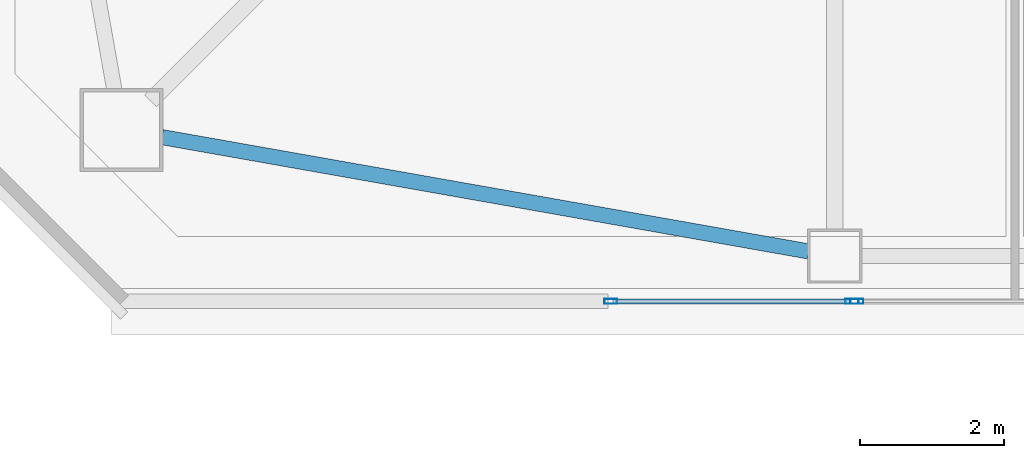
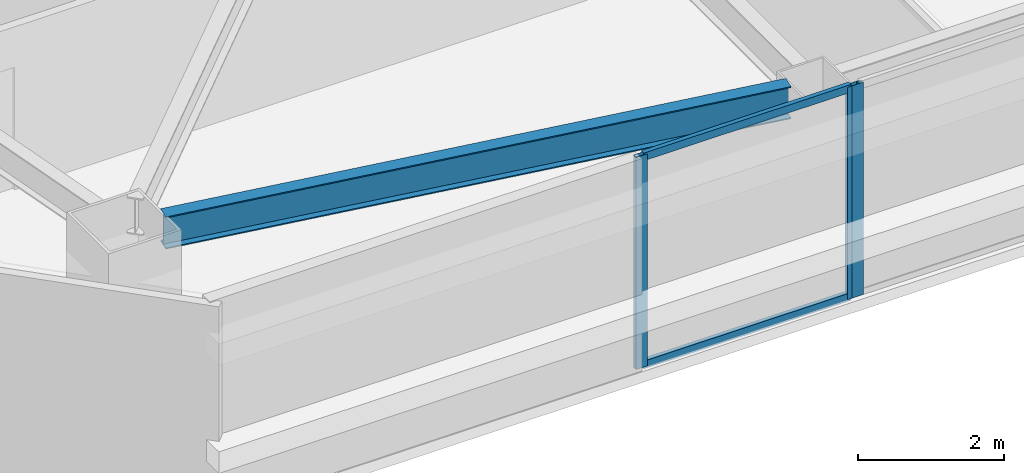
# One storey, part 3 of 42: 5 members, 1 beam, 2 elements without a shape of their own.
"""IFC4 building model written with IfcOpenShell, lengths in metres."""

from ifc_helpers import new_model, si_unit, direction, frame, origin, origin_2d, place, context, subcontext, project, spatial, hollow_rectangle, i_section, extrude, material, material_profile, profile_set, type_object, element, aggregate, save


model = new_model("IFC4")

# Units and contexts
model_context = context("Model", 3, precision=1e-05, world=origin(), true_north=direction((0.0, 1.0)))
body_context = subcontext(model_context, "Body", "Model", "MODEL_VIEW")
ifc_project = project(units=[si_unit("LENGTHUNIT", "METRE"), si_unit("AREAUNIT", "SQUARE_METRE"), si_unit("VOLUMEUNIT", "CUBIC_METRE"), si_unit("PLANEANGLEUNIT", "RADIAN"), si_unit("MASSUNIT", "GRAM", prefix="KILO")], contexts=[model_context])

# Site, building, storey
site_placement = place(None, origin())
site = spatial("IfcSite", under=ifc_project, at=site_placement, CompositionType="ELEMENT")
building_placement = place(site_placement, origin())
building = spatial("IfcBuilding", under=site, at=building_placement, Name="Tashvorn Skyway Center", CompositionType="ELEMENT")
storey_placement = place(building_placement, frame((0.0, 0.0, 164.10009765625)))
storey = spatial("IfcBuildingStorey", under=building, at=storey_placement, Name="L44", CompositionType="ELEMENT", Elevation=164.10009765625)

# Beam
ifc_material_1 = material(Name="Steel ASTM A992 Grade 50", Category="steel")
ifc_material_profile_1 = material_profile(ifc_material_1, i_section(OverallWidth=0.2109375, OverallDepth=0.5390625, WebThickness=0.01171875, FlangeThickness=0.018798828125, at=origin_2d()), Name="W21X73")
ifc_profile_set_1 = profile_set([ifc_material_profile_1], Name="Steel ASTM A992 Grade 50")
beam_type = type_object("IfcBeamType", Name="BM-SPANDREL-W21X73", PredefinedType="SPANDREL", material=ifc_profile_set_1)
beam_placement = place(storey_placement, frame((27.26123046875, 16.600830078125, 3.100341796875), z_axis=(0.984732545667, -0.174074160933, 0.0), x_axis=(0.174074160933, 0.984732545667, 0.0)))
element("IfcBeam", 1, at=beam_placement, inside=storey, type_object=beam_type, Name="Tower 1 L44 Spandrel Beam 01", PredefinedType="SPANDREL", context=body_context, shape_type="SweptSolid", body=[
    extrude(i_section(OverallWidth=0.2109375, OverallDepth=0.5390625, WebThickness=0.01171875, FlangeThickness=0.018798828125, at=origin_2d()), origin(), (0.0, 0.0, 1.0), 9.113525390625),
])

# Curtain wall, member
ifc_material_2 = material(Name="Thermally broken bronze-anodized aluminium 6063-T6", Category="aluminium")
curtain_wall_type = type_object("IfcCurtainWallType", Name="CW-CW-Z4", PredefinedType="NOTDEFINED", material=ifc_material_2)
curtain_wall_1_placement = place(storey_placement, origin())
curtain_wall_1 = element("IfcCurtainWall", 2, at=curtain_wall_1_placement, inside=storey, type_object=curtain_wall_type, Name="Tower 1 L44 South Unitised Curtain Wall Glazing Group 2", PredefinedType="NOTDEFINED")
ifc_material_profile_2 = material_profile(ifc_material_2, hollow_rectangle(XDim=0.070068359375, YDim=0.179931640625, WallThickness=0.00390625, at=origin_2d()), Name="ALU-MULL-70x180")
ifc_profile_set_2 = profile_set([ifc_material_profile_2], Name="Thermally broken bronze-anodized aluminium 6063-T6")
member_type_1 = type_object("IfcMemberType", Name="CWM-CW-Z4", PredefinedType="MULLION", material=ifc_profile_set_2)
member_1_placement = place(storey_placement, frame((36.908203125, 14.320068359375, 0.0), z_axis=(0.0, 0.0, 1.0), x_axis=(0.0, -1.0, 0.0)))
member_1 = element("IfcMember", 3, at=member_1_placement, type_object=member_type_1, Name="CW-Z4 mullion 2", PredefinedType="MULLION", context=body_context, shape_type="SweptSolid", body=[
    extrude(hollow_rectangle(XDim=0.070068359375, YDim=0.179931640625, WallThickness=0.00390625, at=origin_2d()), origin(), (0.0, 0.0, 1.0), 3.5498046875),
])
aggregate(curtain_wall_1, [member_1])

# Curtain wall, members
curtain_wall_2_placement = place(storey_placement, origin())
curtain_wall_2 = element("IfcCurtainWall", 4, at=curtain_wall_2_placement, inside=storey, type_object=curtain_wall_type, Name="Tower 1 L44 South Unitised Curtain Wall Glazing Group 3", PredefinedType="NOTDEFINED")
member_2_placement = place(storey_placement, frame((36.83837890625, 14.320068359375, 0.0), z_axis=(0.0, 0.0, 1.0), x_axis=(0.0, -1.0, 0.0)))
member_2 = element("IfcMember", 5, at=member_2_placement, type_object=member_type_1, Name="CW-Z4 mullion 1", PredefinedType="MULLION", context=body_context, shape_type="SweptSolid", body=[
    extrude(hollow_rectangle(XDim=0.070068359375, YDim=0.179931640625, WallThickness=0.00390625, at=origin_2d()), origin(), (0.0, 0.0, 1.0), 3.5498046875),
])
member_3_placement = place(storey_placement, frame((33.490478515625, 14.320068359375, 0.0), z_axis=(0.0, 0.0, 1.0), x_axis=(0.0, -1.0, 0.0)))
member_3 = element("IfcMember", 6, at=member_3_placement, type_object=member_type_1, Name="CW-Z4 mullion 2", PredefinedType="MULLION", context=body_context, shape_type="SweptSolid", body=[
    extrude(hollow_rectangle(XDim=0.070068359375, YDim=0.179931640625, WallThickness=0.00390625, at=origin_2d()), origin(), (0.0, 0.0, 1.0), 3.5498046875),
])
ifc_material_profile_3 = material_profile(ifc_material_2, hollow_rectangle(XDim=0.070068359375, YDim=0.1298828125, WallThickness=0.00390625, at=origin_2d()), Name="ALU-TRAN-70x130")
ifc_profile_set_3 = profile_set([ifc_material_profile_3], Name="Thermally broken bronze-anodized aluminium 6063-T6")
member_type_2 = type_object("IfcMemberType", Name="CWT-CW-Z4", PredefinedType="USERDEFINED", material=ifc_profile_set_3)
member_4_placement = place(storey_placement, frame((36.80322265625, 14.320068359375, 0.034912109375), z_axis=(-1.0, 0.0, 0.0), x_axis=(0.0, -1.0, 0.0)))
member_4 = element("IfcMember", 7, at=member_4_placement, type_object=member_type_2, Name="CW-Z4 transom 1.1", ObjectType="TRANSOM", PredefinedType="USERDEFINED", context=body_context, shape_type="SweptSolid", body=[
    extrude(hollow_rectangle(XDim=0.070068359375, YDim=0.1298828125, WallThickness=0.00390625, at=origin_2d()), origin(), (0.0, 0.0, 1.0), 3.277587890625),
])
member_5_placement = place(storey_placement, frame((36.80322265625, 14.320068359375, 3.514892578125), z_axis=(-1.0, 0.0, 0.0), x_axis=(0.0, -1.0, 0.0)))
member_5 = element("IfcMember", 8, at=member_5_placement, type_object=member_type_2, Name="CW-Z4 transom 1.2", ObjectType="TRANSOM", PredefinedType="USERDEFINED", context=body_context, shape_type="SweptSolid", body=[
    extrude(hollow_rectangle(XDim=0.070068359375, YDim=0.1298828125, WallThickness=0.00390625, at=origin_2d()), origin(), (0.0, 0.0, 1.0), 3.277587890625),
])
aggregate(curtain_wall_2, [member_2, member_3, member_4, member_5])

save(model, "model.ifc")
